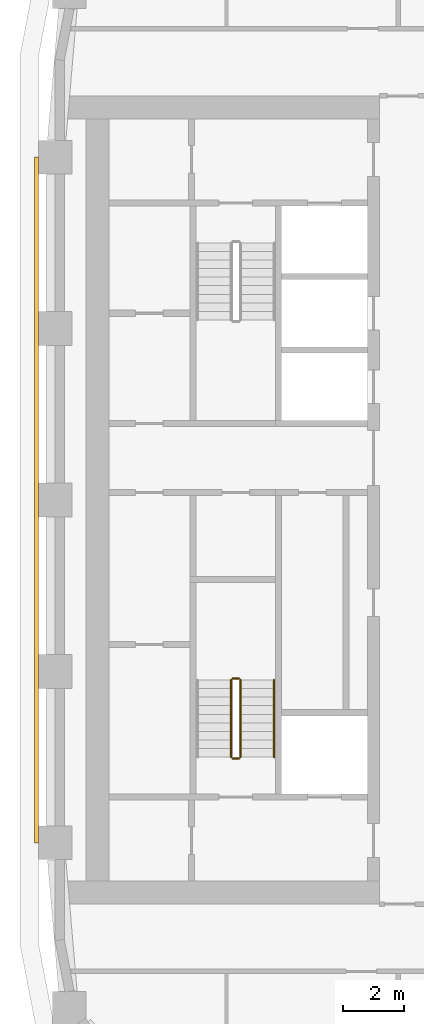
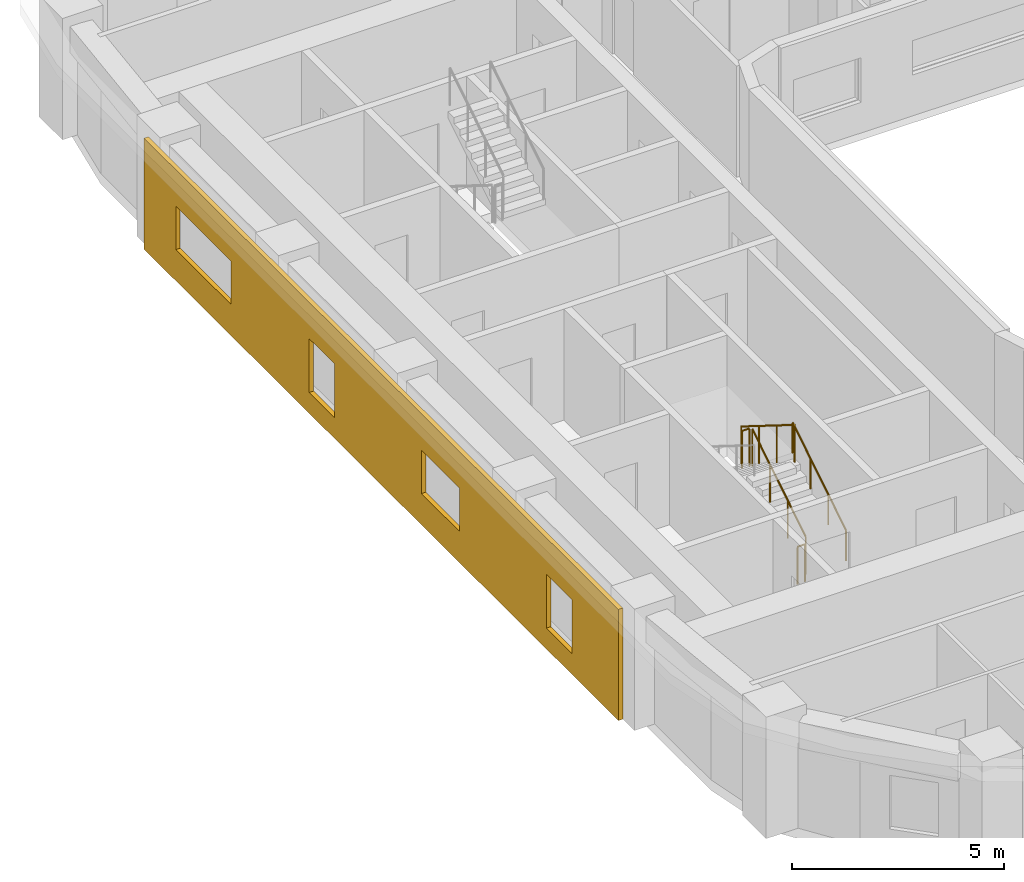
# One storey, part 12 of 18: 5 railings, 1 covering.
"""IFC4 building model written with IfcOpenShell, lengths in metres."""

from ifc_helpers import new_model, si_unit, direction, frame, origin, origin_2d, place, context, subcontext, project, spatial, polyline, circle, outline, extrude, material, layer, layer_set, type_object, element, save


model = new_model("IFC4")

# Units and contexts
model_context = context("Model", 3, precision=1e-05, world=origin(), true_north=direction((0.0, 1.0)))
body_context = subcontext(model_context, "Body", "Model", "MODEL_VIEW")
ifc_project = project(units=[si_unit("LENGTHUNIT", "METRE"), si_unit("AREAUNIT", "SQUARE_METRE"), si_unit("VOLUMEUNIT", "CUBIC_METRE"), si_unit("PLANEANGLEUNIT", "RADIAN"), si_unit("MASSUNIT", "GRAM", prefix="KILO")], contexts=[model_context])

# Site, building, storey
site_placement = place(None, origin())
site = spatial("IfcSite", under=ifc_project, at=site_placement, CompositionType="ELEMENT")
building_placement = place(site_placement, origin())
building = spatial("IfcBuilding", under=site, at=building_placement, Name="Kiln Ring Residences", CompositionType="ELEMENT")
storey_placement = place(building_placement, frame((0.0, 0.0, 157.10009765625)))
storey = spatial("IfcBuildingStorey", under=building, at=storey_placement, Name="L40", CompositionType="ELEMENT", Elevation=157.10009765625)

# Railings
ifc_material_1 = material(Name="Stainless steel", Category="steel")
railing_type_1 = type_object("IfcRailingType", Name="CORE-STAIR-GUARD", PredefinedType="GUARDRAIL", material=ifc_material_1)
railing_1_placement = place(storey_placement, frame((-21.949951171875, -8.39990234375, 0.1748046875)))
element("IfcRailing", 1, at=railing_1_placement, inside=storey, type_object=railing_type_1, Name="L40 W-STS stair guard 1", PredefinedType="GUARDRAIL", context=body_context, shape_type="SweptSolid", body=[
    extrude(circle(Radius=0.02392578125, at=origin_2d()), frame((0.0, 0.0, 1.076171875), z_axis=(0.0, 0.847970611238, 0.530043245855), x_axis=(-1.0, 0.0, 0.0)), (0.0, 0.0, 1.0), 2.971923828125),
    extrude(circle(Radius=0.02099609375, at=origin_2d()), origin(), (0.0, 0.0, 1.0), 1.052001953125),
    extrude(circle(Radius=0.02099609375, at=origin_2d()), frame((0.0, 0.840087890625, 0.525146484375)), (0.0, 0.0, 1.0), 1.052001953125),
    extrude(circle(Radius=0.02099609375, at=origin_2d()), frame((0.0, 1.679931640625, 1.050048828125)), (0.0, 0.0, 1.0), 1.052001953125),
    extrude(circle(Radius=0.02099609375, at=origin_2d()), frame((0.0, 2.52001953125, 1.5751953125)), (0.0, 0.0, 1.0), 1.052001953125),
])
railing_2_placement = place(storey_placement, frame((-22.0, -5.830078125, 1.75)))
element("IfcRailing", 2, at=railing_2_placement, inside=storey, type_object=railing_type_1, Name="L40 W-STS stair guard 2", PredefinedType="GUARDRAIL", context=body_context, shape_type="SweptSolid", body=[
    extrude(circle(Radius=0.02392578125, at=origin_2d()), frame((0.0, 0.0, 1.076171875), z_axis=(-1.0, 0.0, 0.0), x_axis=(0.0, -1.0, 0.0)), (0.0, 0.0, 1.0), 0.199951171875),
    extrude(circle(Radius=0.02099609375, at=origin_2d()), origin(), (0.0, 0.0, 1.0), 1.052001953125),
    extrude(circle(Radius=0.02099609375, at=origin_2d()), frame((-0.199951171875, 0.0, 0.0)), (0.0, 0.0, 1.0), 1.052001953125),
])
railing_3_placement = place(storey_placement, frame((-22.25, -5.8798828125, 1.9248046875)))
element("IfcRailing", 3, at=railing_3_placement, inside=storey, type_object=railing_type_1, Name="L40 W-STS stair guard 3", PredefinedType="GUARDRAIL", context=body_context, shape_type="SweptSolid", body=[
    extrude(circle(Radius=0.02392578125, at=origin_2d()), frame((0.0, 0.0, 1.076171875), z_axis=(0.0, -0.847970611238, 0.530043245855), x_axis=(1.0, 0.0, 0.0)), (0.0, 0.0, 1.0), 2.971923828125),
    extrude(circle(Radius=0.02099609375, at=origin_2d()), origin(), (0.0, 0.0, 1.0), 1.052001953125),
    extrude(circle(Radius=0.02099609375, at=origin_2d()), frame((0.0, -0.840087890625, 0.525146484375)), (0.0, 0.0, 1.0), 1.052001953125),
    extrude(circle(Radius=0.02099609375, at=origin_2d()), frame((0.0, -1.679931640625, 1.050048828125)), (0.0, 0.0, 1.0), 1.052001953125),
    extrude(circle(Radius=0.02099609375, at=origin_2d()), frame((0.0, -2.52001953125, 1.5751953125)), (0.0, 0.0, 1.0), 1.052001953125),
])
railing_4_placement = place(storey_placement, frame((-22.0, -8.449951171875, 0.0)))
element("IfcRailing", 4, at=railing_4_placement, inside=storey, type_object=railing_type_1, Name="L40 W-STS stair guard 4", PredefinedType="GUARDRAIL", context=body_context, shape_type="SweptSolid", body=[
    extrude(circle(Radius=0.02392578125, at=origin_2d()), frame((0.0, 0.0, 1.076171875), z_axis=(-1.0, 0.0, 0.0), x_axis=(0.0, -1.0, 0.0)), (0.0, 0.0, 1.0), 0.199951171875),
    extrude(circle(Radius=0.02099609375, at=origin_2d()), origin(), (0.0, 0.0, 1.0), 1.052001953125),
    extrude(circle(Radius=0.02099609375, at=origin_2d()), frame((-0.199951171875, 0.0, 0.0)), (0.0, 0.0, 1.0), 1.052001953125),
])
ifc_material_2 = material(Name="Stainless steel", Category="steel")
railing_type_2 = type_object("IfcRailingType", Name="CORE-STAIR-HANDRAIL", PredefinedType="HANDRAIL", material=ifc_material_2)
railing_5_placement = place(storey_placement, frame((-20.85009765625, -8.39990234375, 0.1748046875)))
element("IfcRailing", 5, at=railing_5_placement, inside=storey, type_object=railing_type_2, Name="L40 W-STS stair handrail 1", PredefinedType="HANDRAIL", context=body_context, shape_type="SweptSolid", body=[
    extrude(circle(Radius=0.02392578125, at=origin_2d()), frame((0.0, 0.0, 0.8759765625), z_axis=(0.0, 0.847970611238, 0.530043245855), x_axis=(-1.0, 0.0, 0.0)), (0.0, 0.0, 1.0), 2.971923828125),
    extrude(circle(Radius=0.02099609375, at=origin_2d()), origin(), (0.0, 0.0, 1.0), 0.851806640625),
    extrude(circle(Radius=0.02099609375, at=origin_2d()), frame((0.0, 0.840087890625, 0.525146484375)), (0.0, 0.0, 1.0), 0.851806640625),
    extrude(circle(Radius=0.02099609375, at=origin_2d()), frame((0.0, 1.679931640625, 1.050048828125)), (0.0, 0.0, 1.0), 0.851806640625),
    extrude(circle(Radius=0.02099609375, at=origin_2d()), frame((0.0, 2.52001953125, 1.5751953125)), (0.0, 0.0, 1.0), 0.851806640625),
])

# Covering
ifc_material_3 = material(Name="Brick masonry, dark clay brick", Category="masonry")
ifc_layer = layer(ifc_material_3, 0.1201171875)
ifc_layer_set = layer_set([ifc_layer], Name="RAINSCREEN PANEL 120")
covering_type = type_object("IfcCoveringType", Name="RAINSCREEN PANEL 120", PredefinedType="CLADDING", material=ifc_layer_set)
covering_placement = place(storey_placement, frame((-28.610107421875, 11.199951171875, 0.0), z_axis=(0.0, 0.0, 1.0), x_axis=(0.0, -1.0, 0.0)))
element("IfcCovering", 6, at=covering_placement, inside=storey, type_object=covering_type, Name="RAINSCREEN L40", PredefinedType="CLADDING", context=body_context, shape_type="SweptSolid", body=[
    extrude(outline(polyline([(0.0, 0.0), (22.39990234375, 0.0), (22.39990234375, 3.199951171875), (0.0, 3.199951171875), (0.0, 0.0)]), holes=[polyline([(9.0, 0.599853515625), (9.0, 2.14990234375), (7.800048828125, 2.14990234375), (7.800048828125, 0.599853515625), (9.0, 0.599853515625)]), polyline([(20.199951171875, 0.599853515625), (20.199951171875, 2.14990234375), (19.0, 2.14990234375), (19.0, 0.599853515625), (20.199951171875, 0.599853515625)]), polyline([(4.10009765625, 0.89990234375), (4.10009765625, 2.14990234375), (1.5, 2.14990234375), (1.5, 0.89990234375), (4.10009765625, 0.89990234375)]), polyline([(14.89990234375, 0.89990234375), (14.89990234375, 2.14990234375), (13.10009765625, 2.14990234375), (13.10009765625, 0.89990234375), (14.89990234375, 0.89990234375)])]), frame((0.0, 0.06005859375, 0.0), z_axis=(0.0, -1.0, 0.0), x_axis=(1.0, 0.0, 0.0)), (0.0, 0.0, 1.0), 0.1201171875),
])

save(model, "model.ifc")
